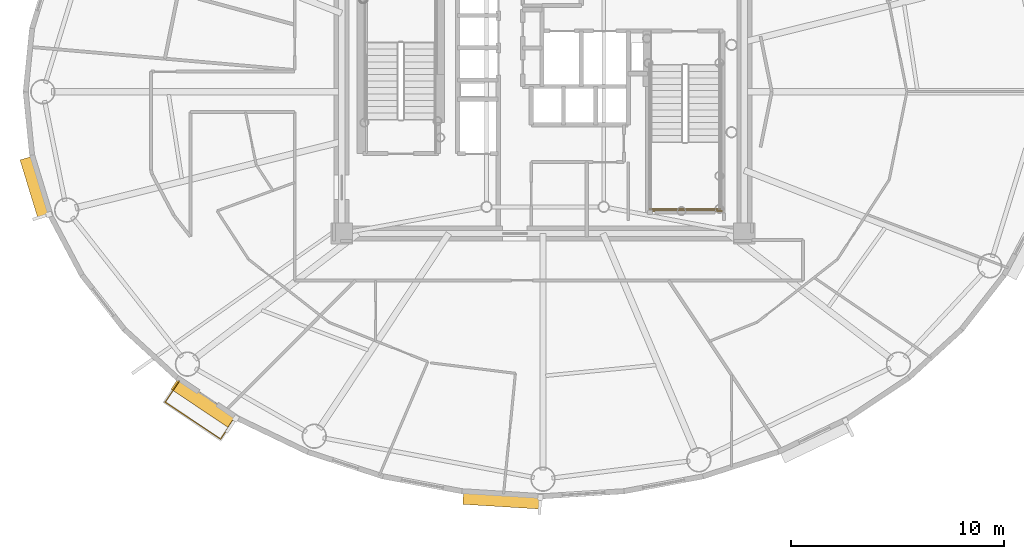
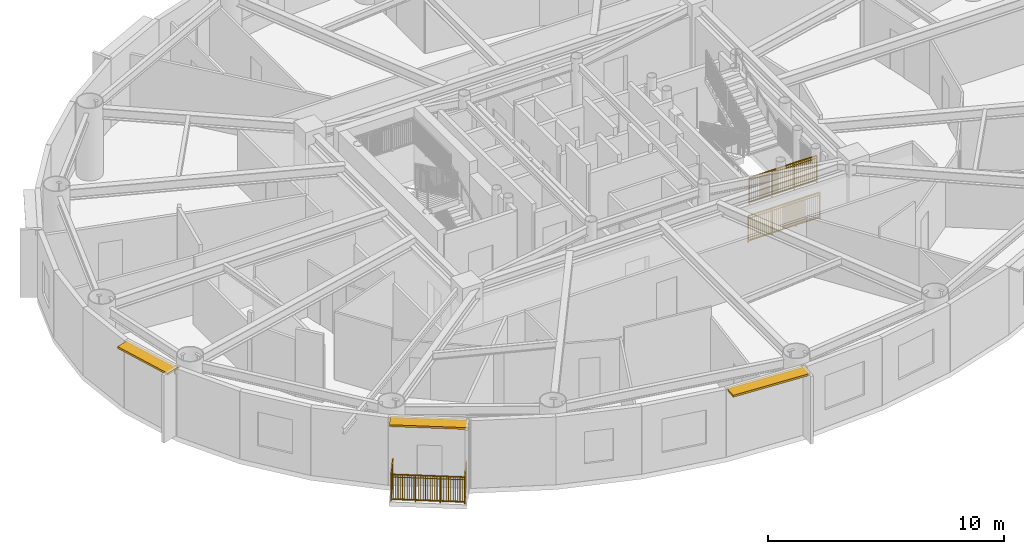
# One storey, part 12 of 18: 3 railings, 3 shading devices.
"""IFC4 building model written with IfcOpenShell, lengths in metres."""

from ifc_helpers import new_model, si_unit, direction, frame, origin, origin_2d, place, context, subcontext, project, spatial, rectangle, extrude, source, transform, mapped, material, layer, layer_set, type_object, element, save


model = new_model("IFC4")

# Units and contexts
model_context = context("Model", 3, precision=1e-05, world=origin(), true_north=direction((0.0, 1.0)))
body_context = subcontext(model_context, "Body", "Model", "MODEL_VIEW")
ifc_project = project(units=[si_unit("LENGTHUNIT", "METRE"), si_unit("AREAUNIT", "SQUARE_METRE"), si_unit("VOLUMEUNIT", "CUBIC_METRE"), si_unit("PLANEANGLEUNIT", "RADIAN"), si_unit("MASSUNIT", "GRAM", prefix="KILO")], contexts=[model_context])

# Site, building, storey
site_placement = place(None, origin())
site = spatial("IfcSite", under=ifc_project, at=site_placement, CompositionType="ELEMENT")
building_placement = place(site_placement, origin())
building = spatial("IfcBuilding", under=site, at=building_placement, Name="Linh Dai School and Residence Tower", CompositionType="ELEMENT")
storey_placement = place(building_placement, frame((0.0, 0.0, 244.050048828125)))
storey = spatial("IfcBuildingStorey", under=building, at=storey_placement, Name="L60", CompositionType="ELEMENT", Elevation=244.050048828125)

# Shading devices
ifc_material_1 = material(Name="Terracotta Ceramic Sunshade", Category="masonry")
ifc_layer = layer(ifc_material_1, 0.10009765625)
ifc_layer_set = layer_set([ifc_layer], Name="Terracotta Ceramic Sunshade")
shading_device_type = type_object("IfcShadingDeviceType", Name="SHD-TC-650", PredefinedType="USERDEFINED", material=ifc_layer_set)
shared_shape_1 = source(origin(), body_context, "Body", "SweptSolid", [
    extrude(rectangle(XDim=2.90380859375, YDim=0.64990234375, at=origin_2d()), origin(), (0.0, 0.0, 1.0), 0.10009765625),
])
shading_device_1_placement = place(storey_placement, frame((12.19384765625, 22.506591796875, 3.3798828125), z_axis=(0.0, 0.0, 1.0), x_axis=(-0.2931574026, 0.956064190994, 0.0)))
element("IfcShadingDevice", 1, at=shading_device_1_placement, inside=storey, type_object=shading_device_type, Name="L60 Terracotta Horizontal Sunshade Band 22", ObjectType="SUNSHADE", PredefinedType="USERDEFINED", context=body_context, shape_type="MappedRepresentation", body=[
    mapped(shared_shape_1, transform((0.0, 0.0, 0.0), x_axis=(1.0, 0.0, 0.0), y_axis=(0.0, 1.0, 0.0), z_axis=(0.0, 0.0, 1.0), scale=1.0)),
])
shared_shape_2 = source(origin(), body_context, "Body", "SweptSolid", [
    extrude(rectangle(XDim=3.3447265625, YDim=0.64990234375, at=origin_2d()), origin(), (0.0, 0.0, 1.0), 0.10009765625),
])
shading_device_2_placement = place(storey_placement, frame((20.11328125, 12.3837890625, 3.3798828125), z_axis=(0.0, 0.0, 1.0), x_axis=(-0.831257719597, 0.555887222025, 0.0)))
element("IfcShadingDevice", 2, at=shading_device_2_placement, inside=storey, type_object=shading_device_type, Name="L60 Terracotta Horizontal Sunshade Band 26", ObjectType="SUNSHADE", PredefinedType="USERDEFINED", context=body_context, shape_type="MappedRepresentation", body=[
    mapped(shared_shape_2, transform((0.0, 0.0, 0.0), x_axis=(1.0, 0.0, 0.0), y_axis=(0.0, 1.0, 0.0), z_axis=(0.0, 0.0, 1.0), scale=1.0)),
])
shared_shape_3 = source(origin(), body_context, "Body", "SweptSolid", [
    extrude(rectangle(XDim=3.656494140625, YDim=0.64990234375, at=origin_2d()), origin(), (0.0, 0.0, 1.0), 0.10009765625),
])
shading_device_3_placement = place(storey_placement, frame((34.08154296875, 7.852783203125, 3.3798828125), z_axis=(0.0, 0.0, 1.0), x_axis=(-0.998106809974, 0.061504437922, 0.0)))
element("IfcShadingDevice", 3, at=shading_device_3_placement, inside=storey, type_object=shading_device_type, Name="L60 Terracotta Horizontal Sunshade Band 30", ObjectType="SUNSHADE", PredefinedType="USERDEFINED", context=body_context, shape_type="MappedRepresentation", body=[
    mapped(shared_shape_3, transform((0.0, 0.0, 0.0), x_axis=(1.0, 0.0, 0.0), y_axis=(0.0, 1.0, 0.0), z_axis=(0.0, 0.0, 1.0), scale=1.0)),
])

# Railings
ifc_material_2 = material(Name="Structural Steel S355JR", Category="steel")
railing_type_1 = type_object("IfcRailingType", Name="RL-BAL-1400", PredefinedType="BALUSTRADE", material=ifc_material_2)
shared_shape_4 = source(origin(), body_context, "Body", "SweptSolid", [
    extrude(rectangle(XDim=0.048095703125, YDim=0.048095703125, at=origin_2d()), frame((0.0, 0.0, 1.3759765625), z_axis=(-0.55589317819, -0.831253736498, 0.0), x_axis=(0.831253736498, -0.55589317819, 0.0)), (0.0, 0.0, 1.0), 1.18017578125),
    extrude(rectangle(XDim=0.048095703125, YDim=0.048095703125, at=origin_2d()), frame((0.0, 0.0, 0.10009765625), z_axis=(-0.55589317819, -0.831253736498, 0.0), x_axis=(0.831253736498, -0.55589317819, 0.0)), (0.0, 0.0, 1.0), 1.18017578125),
    extrude(rectangle(XDim=0.030029296875, YDim=0.030029296875, at=origin_2d()), frame((0.0, 0.0, 1.239990234375), z_axis=(-0.55589317819, -0.831253736498, 0.0), x_axis=(0.831253736498, -0.55589317819, 0.0)), (0.0, 0.0, 1.0), 1.18017578125),
    extrude(rectangle(XDim=0.02001953125, YDim=0.02001953125, at=origin_2d()), frame((-0.050537109375, -0.075439453125, 0.10009765625)), (0.0, 0.0, 1.0), 1.251708984375),
    extrude(rectangle(XDim=0.02001953125, YDim=0.02001953125, at=origin_2d()), frame((-0.100830078125, -0.15087890625, 0.10009765625)), (0.0, 0.0, 1.0), 1.251708984375),
    extrude(rectangle(XDim=0.02001953125, YDim=0.02001953125, at=origin_2d()), frame((-0.1513671875, -0.226318359375, 0.10009765625)), (0.0, 0.0, 1.0), 1.251708984375),
    extrude(rectangle(XDim=0.02001953125, YDim=0.02001953125, at=origin_2d()), frame((-0.201904296875, -0.3017578125, 0.10009765625)), (0.0, 0.0, 1.0), 1.251708984375),
    extrude(rectangle(XDim=0.02001953125, YDim=0.02001953125, at=origin_2d()), frame((-0.252197265625, -0.377197265625, 0.10009765625)), (0.0, 0.0, 1.0), 1.251708984375),
    extrude(rectangle(XDim=0.02001953125, YDim=0.02001953125, at=origin_2d()), frame((-0.302734375, -0.45263671875, 0.10009765625)), (0.0, 0.0, 1.0), 1.251708984375),
    extrude(rectangle(XDim=0.02001953125, YDim=0.02001953125, at=origin_2d()), frame((-0.353271484375, -0.5283203125, 0.10009765625)), (0.0, 0.0, 1.0), 1.251708984375),
    extrude(rectangle(XDim=0.02001953125, YDim=0.02001953125, at=origin_2d()), frame((-0.40380859375, -0.603759765625, 0.10009765625)), (0.0, 0.0, 1.0), 1.251708984375),
    extrude(rectangle(XDim=0.02001953125, YDim=0.02001953125, at=origin_2d()), frame((-0.4541015625, -0.67919921875, 0.10009765625)), (0.0, 0.0, 1.0), 1.251708984375),
    extrude(rectangle(XDim=0.02001953125, YDim=0.02001953125, at=origin_2d()), frame((-0.504638671875, -0.754638671875, 0.10009765625)), (0.0, 0.0, 1.0), 1.251708984375),
    extrude(rectangle(XDim=0.02001953125, YDim=0.02001953125, at=origin_2d()), frame((-0.55517578125, -0.830078125, 0.10009765625)), (0.0, 0.0, 1.0), 1.251708984375),
    extrude(rectangle(XDim=0.02001953125, YDim=0.02001953125, at=origin_2d()), frame((-0.60546875, -0.905517578125, 0.10009765625)), (0.0, 0.0, 1.0), 1.251708984375),
    extrude(rectangle(XDim=0.048095703125, YDim=0.048095703125, at=origin_2d()), frame((-0.656005859375, -0.98095703125, 1.3759765625), z_axis=(-0.831267981347, 0.555871876593, 0.0), x_axis=(-0.555871876593, -0.831267981347, 0.0)), (0.0, 0.0, 1.0), 3.1240234375),
    extrude(rectangle(XDim=0.048095703125, YDim=0.048095703125, at=origin_2d()), frame((-0.656005859375, -0.98095703125, 0.10009765625), z_axis=(-0.831267981347, 0.555871876593, 0.0), x_axis=(-0.555871876593, -0.831267981347, 0.0)), (0.0, 0.0, 1.0), 3.1240234375),
    extrude(rectangle(XDim=0.030029296875, YDim=0.030029296875, at=origin_2d()), frame((-0.656005859375, -0.98095703125, 1.239990234375), z_axis=(-0.831267981347, 0.555871876593, 0.0), x_axis=(-0.555871876593, -0.831267981347, 0.0)), (0.0, 0.0, 1.0), 3.1240234375),
    extrude(rectangle(XDim=0.02001953125, YDim=0.02001953125, at=origin_2d()), frame((-0.737060546875, -0.9267578125, 0.10009765625)), (0.0, 0.0, 1.0), 1.251708984375),
    extrude(rectangle(XDim=0.02001953125, YDim=0.02001953125, at=origin_2d()), frame((-0.818359375, -0.872314453125, 0.10009765625)), (0.0, 0.0, 1.0), 1.251708984375),
    extrude(rectangle(XDim=0.02001953125, YDim=0.02001953125, at=origin_2d()), frame((-0.8994140625, -0.818115234375, 0.10009765625)), (0.0, 0.0, 1.0), 1.251708984375),
    extrude(rectangle(XDim=0.02001953125, YDim=0.02001953125, at=origin_2d()), frame((-0.980712890625, -0.763916015625, 0.10009765625)), (0.0, 0.0, 1.0), 1.251708984375),
    extrude(rectangle(XDim=0.02001953125, YDim=0.02001953125, at=origin_2d()), frame((-1.061767578125, -0.709716796875, 0.10009765625)), (0.0, 0.0, 1.0), 1.251708984375),
    extrude(rectangle(XDim=0.02001953125, YDim=0.02001953125, at=origin_2d()), frame((-1.142822265625, -0.6552734375, 0.10009765625)), (0.0, 0.0, 1.0), 1.251708984375),
    extrude(rectangle(XDim=0.02001953125, YDim=0.02001953125, at=origin_2d()), frame((-1.22412109375, -0.60107421875, 0.10009765625)), (0.0, 0.0, 1.0), 1.251708984375),
    extrude(rectangle(XDim=0.02001953125, YDim=0.02001953125, at=origin_2d()), frame((-1.30517578125, -0.546875, 0.10009765625)), (0.0, 0.0, 1.0), 1.251708984375),
    extrude(rectangle(XDim=0.02001953125, YDim=0.02001953125, at=origin_2d()), frame((-1.386474609375, -0.492431640625, 0.10009765625)), (0.0, 0.0, 1.0), 1.251708984375),
    extrude(rectangle(XDim=0.02001953125, YDim=0.02001953125, at=origin_2d()), frame((-1.467529296875, -0.438232421875, 0.10009765625)), (0.0, 0.0, 1.0), 1.251708984375),
    extrude(rectangle(XDim=0.02001953125, YDim=0.02001953125, at=origin_2d()), frame((-1.6298828125, -0.329833984375, 0.10009765625)), (0.0, 0.0, 1.0), 1.251708984375),
    extrude(rectangle(XDim=0.02001953125, YDim=0.02001953125, at=origin_2d()), frame((-1.7109375, -0.275390625, 0.10009765625)), (0.0, 0.0, 1.0), 1.251708984375),
    extrude(rectangle(XDim=0.02001953125, YDim=0.02001953125, at=origin_2d()), frame((-1.792236328125, -0.22119140625, 0.10009765625)), (0.0, 0.0, 1.0), 1.251708984375),
    extrude(rectangle(XDim=0.02001953125, YDim=0.02001953125, at=origin_2d()), frame((-1.873291015625, -0.1669921875, 0.10009765625)), (0.0, 0.0, 1.0), 1.251708984375),
    extrude(rectangle(XDim=0.02001953125, YDim=0.02001953125, at=origin_2d()), frame((-1.95458984375, -0.11279296875, 0.10009765625)), (0.0, 0.0, 1.0), 1.251708984375),
    extrude(rectangle(XDim=0.02001953125, YDim=0.02001953125, at=origin_2d()), frame((-2.03564453125, -0.058349609375, 0.10009765625)), (0.0, 0.0, 1.0), 1.251708984375),
    extrude(rectangle(XDim=0.02001953125, YDim=0.02001953125, at=origin_2d()), frame((-2.11669921875, -0.004150390625, 0.10009765625)), (0.0, 0.0, 1.0), 1.251708984375),
    extrude(rectangle(XDim=0.02001953125, YDim=0.02001953125, at=origin_2d()), frame((-2.197998046875, 0.050048828125, 0.10009765625)), (0.0, 0.0, 1.0), 1.251708984375),
    extrude(rectangle(XDim=0.02001953125, YDim=0.02001953125, at=origin_2d()), frame((-2.279052734375, 0.1044921875, 0.10009765625)), (0.0, 0.0, 1.0), 1.251708984375),
    extrude(rectangle(XDim=0.02001953125, YDim=0.02001953125, at=origin_2d()), frame((-2.44140625, 0.212890625, 0.10009765625)), (0.0, 0.0, 1.0), 1.251708984375),
    extrude(rectangle(XDim=0.02001953125, YDim=0.02001953125, at=origin_2d()), frame((-2.5224609375, 0.26708984375, 0.10009765625)), (0.0, 0.0, 1.0), 1.251708984375),
    extrude(rectangle(XDim=0.02001953125, YDim=0.02001953125, at=origin_2d()), frame((-2.603759765625, 0.321533203125, 0.10009765625)), (0.0, 0.0, 1.0), 1.251708984375),
    extrude(rectangle(XDim=0.02001953125, YDim=0.02001953125, at=origin_2d()), frame((-2.684814453125, 0.375732421875, 0.10009765625)), (0.0, 0.0, 1.0), 1.251708984375),
    extrude(rectangle(XDim=0.02001953125, YDim=0.02001953125, at=origin_2d()), frame((-2.76611328125, 0.429931640625, 0.10009765625)), (0.0, 0.0, 1.0), 1.251708984375),
    extrude(rectangle(XDim=0.02001953125, YDim=0.02001953125, at=origin_2d()), frame((-2.84716796875, 0.484375, 0.10009765625)), (0.0, 0.0, 1.0), 1.251708984375),
    extrude(rectangle(XDim=0.02001953125, YDim=0.02001953125, at=origin_2d()), frame((-2.92822265625, 0.53857421875, 0.10009765625)), (0.0, 0.0, 1.0), 1.251708984375),
    extrude(rectangle(XDim=0.02001953125, YDim=0.02001953125, at=origin_2d()), frame((-3.009521484375, 0.5927734375, 0.10009765625)), (0.0, 0.0, 1.0), 1.251708984375),
    extrude(rectangle(XDim=0.02001953125, YDim=0.02001953125, at=origin_2d()), frame((-3.090576171875, 0.64697265625, 0.10009765625)), (0.0, 0.0, 1.0), 1.251708984375),
    extrude(rectangle(XDim=0.02001953125, YDim=0.02001953125, at=origin_2d()), frame((-3.171875, 0.701416015625, 0.10009765625)), (0.0, 0.0, 1.0), 1.251708984375),
    extrude(rectangle(XDim=0.048095703125, YDim=0.048095703125, at=origin_2d()), frame((-3.2529296875, 0.755615234375, 1.3759765625), z_axis=(0.55589317819, 0.831253736498, 0.0), x_axis=(-0.831253736498, 0.55589317819, 0.0)), (0.0, 0.0, 1.0), 1.18017578125),
    extrude(rectangle(XDim=0.048095703125, YDim=0.048095703125, at=origin_2d()), frame((-3.2529296875, 0.755615234375, 0.10009765625), z_axis=(0.55589317819, 0.831253736498, 0.0), x_axis=(-0.831253736498, 0.55589317819, 0.0)), (0.0, 0.0, 1.0), 1.18017578125),
    extrude(rectangle(XDim=0.030029296875, YDim=0.030029296875, at=origin_2d()), frame((-3.2529296875, 0.755615234375, 1.239990234375), z_axis=(0.55589317819, 0.831253736498, 0.0), x_axis=(-0.831253736498, 0.55589317819, 0.0)), (0.0, 0.0, 1.0), 1.18017578125),
    extrude(rectangle(XDim=0.02001953125, YDim=0.02001953125, at=origin_2d()), frame((-3.202392578125, 0.8310546875, 0.10009765625)), (0.0, 0.0, 1.0), 1.251708984375),
    extrude(rectangle(XDim=0.02001953125, YDim=0.02001953125, at=origin_2d()), frame((-3.152099609375, 0.906494140625, 0.10009765625)), (0.0, 0.0, 1.0), 1.251708984375),
    extrude(rectangle(XDim=0.02001953125, YDim=0.02001953125, at=origin_2d()), frame((-3.1015625, 0.98193359375, 0.10009765625)), (0.0, 0.0, 1.0), 1.251708984375),
    extrude(rectangle(XDim=0.02001953125, YDim=0.02001953125, at=origin_2d()), frame((-3.051025390625, 1.057373046875, 0.10009765625)), (0.0, 0.0, 1.0), 1.251708984375),
    extrude(rectangle(XDim=0.02001953125, YDim=0.02001953125, at=origin_2d()), frame((-3.000732421875, 1.1328125, 0.10009765625)), (0.0, 0.0, 1.0), 1.251708984375),
    extrude(rectangle(XDim=0.02001953125, YDim=0.02001953125, at=origin_2d()), frame((-2.9501953125, 1.208251953125, 0.10009765625)), (0.0, 0.0, 1.0), 1.251708984375),
    extrude(rectangle(XDim=0.02001953125, YDim=0.02001953125, at=origin_2d()), frame((-2.899658203125, 1.283935546875, 0.10009765625)), (0.0, 0.0, 1.0), 1.251708984375),
    extrude(rectangle(XDim=0.02001953125, YDim=0.02001953125, at=origin_2d()), frame((-2.84912109375, 1.359375, 0.10009765625)), (0.0, 0.0, 1.0), 1.251708984375),
    extrude(rectangle(XDim=0.02001953125, YDim=0.02001953125, at=origin_2d()), frame((-2.798828125, 1.434814453125, 0.10009765625)), (0.0, 0.0, 1.0), 1.251708984375),
    extrude(rectangle(XDim=0.02001953125, YDim=0.02001953125, at=origin_2d()), frame((-2.748291015625, 1.51025390625, 0.10009765625)), (0.0, 0.0, 1.0), 1.251708984375),
    extrude(rectangle(XDim=0.02001953125, YDim=0.02001953125, at=origin_2d()), frame((-2.69775390625, 1.585693359375, 0.10009765625)), (0.0, 0.0, 1.0), 1.251708984375),
    extrude(rectangle(XDim=0.02001953125, YDim=0.02001953125, at=origin_2d()), frame((-2.6474609375, 1.6611328125, 0.10009765625)), (0.0, 0.0, 1.0), 1.251708984375),
    extrude(rectangle(XDim=0.0419921875, YDim=0.0419921875, at=origin_2d()), origin(), (0.0, 0.0, 1.0), 1.3759765625),
    extrude(rectangle(XDim=0.0419921875, YDim=0.0419921875, at=origin_2d()), frame((-0.656005859375, -0.98095703125, 0.0)), (0.0, 0.0, 1.0), 1.3759765625),
    extrude(rectangle(XDim=0.0419921875, YDim=0.0419921875, at=origin_2d()), frame((-1.521728515625, -0.402099609375, 0.0)), (0.0, 0.0, 1.0), 1.3759765625),
    extrude(rectangle(XDim=0.0419921875, YDim=0.0419921875, at=origin_2d()), frame((-2.38720703125, 0.1767578125, 0.0)), (0.0, 0.0, 1.0), 1.3759765625),
    extrude(rectangle(XDim=0.0419921875, YDim=0.0419921875, at=origin_2d()), frame((-3.2529296875, 0.755615234375, 0.0)), (0.0, 0.0, 1.0), 1.3759765625),
    extrude(rectangle(XDim=0.0419921875, YDim=0.0419921875, at=origin_2d()), frame((-2.596923828125, 1.736572265625, 0.0)), (0.0, 0.0, 1.0), 1.3759765625),
])
railing_1_placement = place(storey_placement, frame((21.52294921875, 11.681884765625, 0.0)))
element("IfcRailing", 4, at=railing_1_placement, inside=storey, type_object=railing_type_1, Name="L60 Balcony Safety Balustrade 26", PredefinedType="BALUSTRADE", context=body_context, shape_type="MappedRepresentation", body=[
    mapped(shared_shape_4, transform((0.0, 0.0, 0.0), x_axis=(1.0, 0.0, 0.0), y_axis=(0.0, 1.0, 0.0), z_axis=(0.0, 0.0, 1.0), scale=1.0)),
])
railing_type_2 = type_object("IfcRailingType", Name="RL-ST-GUARD-1400", PredefinedType="GUARDRAIL", material=ifc_material_2)
shared_shape_5 = source(origin(), body_context, "Body", "SweptSolid", [
    extrude(rectangle(XDim=0.048095703125, YDim=0.048095703125, at=origin_2d()), frame((0.0, 0.0, 1.3759765625), z_axis=(1.0, 0.0, 0.0), x_axis=(0.0, 1.0, 0.0)), (0.0, 0.0, 1.0), 3.300048828125),
    extrude(rectangle(XDim=0.048095703125, YDim=0.048095703125, at=origin_2d()), frame((0.0, 0.0, 0.10009765625), z_axis=(1.0, 0.0, 0.0), x_axis=(0.0, 1.0, 0.0)), (0.0, 0.0, 1.0), 3.300048828125),
    extrude(rectangle(XDim=0.030029296875, YDim=0.030029296875, at=origin_2d()), frame((0.0, 0.0, 1.239990234375), z_axis=(1.0, 0.0, 0.0), x_axis=(0.0, 1.0, 0.0)), (0.0, 0.0, 1.0), 3.300048828125),
    extrude(rectangle(XDim=0.02001953125, YDim=0.02001953125, at=origin_2d()), frame((0.09716796875, 0.0, 0.10009765625)), (0.0, 0.0, 1.0), 1.251708984375),
    extrude(rectangle(XDim=0.02001953125, YDim=0.02001953125, at=origin_2d()), frame((0.194091796875, 0.0, 0.10009765625)), (0.0, 0.0, 1.0), 1.251708984375),
    extrude(rectangle(XDim=0.02001953125, YDim=0.02001953125, at=origin_2d()), frame((0.291259765625, 0.0, 0.10009765625)), (0.0, 0.0, 1.0), 1.251708984375),
    extrude(rectangle(XDim=0.02001953125, YDim=0.02001953125, at=origin_2d()), frame((0.38818359375, 0.0, 0.10009765625)), (0.0, 0.0, 1.0), 1.251708984375),
    extrude(rectangle(XDim=0.02001953125, YDim=0.02001953125, at=origin_2d()), frame((0.4853515625, 0.0, 0.10009765625)), (0.0, 0.0, 1.0), 1.251708984375),
    extrude(rectangle(XDim=0.02001953125, YDim=0.02001953125, at=origin_2d()), frame((0.582275390625, 0.0, 0.10009765625)), (0.0, 0.0, 1.0), 1.251708984375),
    extrude(rectangle(XDim=0.02001953125, YDim=0.02001953125, at=origin_2d()), frame((0.679443359375, 0.0, 0.10009765625)), (0.0, 0.0, 1.0), 1.251708984375),
    extrude(rectangle(XDim=0.02001953125, YDim=0.02001953125, at=origin_2d()), frame((0.7763671875, 0.0, 0.10009765625)), (0.0, 0.0, 1.0), 1.251708984375),
    extrude(rectangle(XDim=0.02001953125, YDim=0.02001953125, at=origin_2d()), frame((0.87353515625, 0.0, 0.10009765625)), (0.0, 0.0, 1.0), 1.251708984375),
    extrude(rectangle(XDim=0.02001953125, YDim=0.02001953125, at=origin_2d()), frame((0.970703125, 0.0, 0.10009765625)), (0.0, 0.0, 1.0), 1.251708984375),
    extrude(rectangle(XDim=0.02001953125, YDim=0.02001953125, at=origin_2d()), frame((1.164794921875, 0.0, 0.10009765625)), (0.0, 0.0, 1.0), 1.251708984375),
    extrude(rectangle(XDim=0.02001953125, YDim=0.02001953125, at=origin_2d()), frame((1.26171875, 0.0, 0.10009765625)), (0.0, 0.0, 1.0), 1.251708984375),
    extrude(rectangle(XDim=0.02001953125, YDim=0.02001953125, at=origin_2d()), frame((1.35888671875, 0.0, 0.10009765625)), (0.0, 0.0, 1.0), 1.251708984375),
    extrude(rectangle(XDim=0.02001953125, YDim=0.02001953125, at=origin_2d()), frame((1.455810546875, 0.0, 0.10009765625)), (0.0, 0.0, 1.0), 1.251708984375),
    extrude(rectangle(XDim=0.02001953125, YDim=0.02001953125, at=origin_2d()), frame((1.552978515625, 0.0, 0.10009765625)), (0.0, 0.0, 1.0), 1.251708984375),
    extrude(rectangle(XDim=0.02001953125, YDim=0.02001953125, at=origin_2d()), frame((1.64990234375, 0.0, 0.10009765625)), (0.0, 0.0, 1.0), 1.251708984375),
    extrude(rectangle(XDim=0.02001953125, YDim=0.02001953125, at=origin_2d()), frame((1.7470703125, 0.0, 0.10009765625)), (0.0, 0.0, 1.0), 1.251708984375),
    extrude(rectangle(XDim=0.02001953125, YDim=0.02001953125, at=origin_2d()), frame((1.84423828125, 0.0, 0.10009765625)), (0.0, 0.0, 1.0), 1.251708984375),
    extrude(rectangle(XDim=0.02001953125, YDim=0.02001953125, at=origin_2d()), frame((1.941162109375, 0.0, 0.10009765625)), (0.0, 0.0, 1.0), 1.251708984375),
    extrude(rectangle(XDim=0.02001953125, YDim=0.02001953125, at=origin_2d()), frame((2.038330078125, 0.0, 0.10009765625)), (0.0, 0.0, 1.0), 1.251708984375),
    extrude(rectangle(XDim=0.02001953125, YDim=0.02001953125, at=origin_2d()), frame((2.13525390625, 0.0, 0.10009765625)), (0.0, 0.0, 1.0), 1.251708984375),
    extrude(rectangle(XDim=0.02001953125, YDim=0.02001953125, at=origin_2d()), frame((2.329345703125, 0.0, 0.10009765625)), (0.0, 0.0, 1.0), 1.251708984375),
    extrude(rectangle(XDim=0.02001953125, YDim=0.02001953125, at=origin_2d()), frame((2.426513671875, 0.0, 0.10009765625)), (0.0, 0.0, 1.0), 1.251708984375),
    extrude(rectangle(XDim=0.02001953125, YDim=0.02001953125, at=origin_2d()), frame((2.523681640625, 0.0, 0.10009765625)), (0.0, 0.0, 1.0), 1.251708984375),
    extrude(rectangle(XDim=0.02001953125, YDim=0.02001953125, at=origin_2d()), frame((2.62060546875, 0.0, 0.10009765625)), (0.0, 0.0, 1.0), 1.251708984375),
    extrude(rectangle(XDim=0.02001953125, YDim=0.02001953125, at=origin_2d()), frame((2.7177734375, 0.0, 0.10009765625)), (0.0, 0.0, 1.0), 1.251708984375),
    extrude(rectangle(XDim=0.02001953125, YDim=0.02001953125, at=origin_2d()), frame((2.814697265625, 0.0, 0.10009765625)), (0.0, 0.0, 1.0), 1.251708984375),
    extrude(rectangle(XDim=0.02001953125, YDim=0.02001953125, at=origin_2d()), frame((2.911865234375, 0.0, 0.10009765625)), (0.0, 0.0, 1.0), 1.251708984375),
    extrude(rectangle(XDim=0.02001953125, YDim=0.02001953125, at=origin_2d()), frame((3.0087890625, 0.0, 0.10009765625)), (0.0, 0.0, 1.0), 1.251708984375),
    extrude(rectangle(XDim=0.02001953125, YDim=0.02001953125, at=origin_2d()), frame((3.10595703125, 0.0, 0.10009765625)), (0.0, 0.0, 1.0), 1.251708984375),
    extrude(rectangle(XDim=0.02001953125, YDim=0.02001953125, at=origin_2d()), frame((3.202880859375, 0.0, 0.10009765625)), (0.0, 0.0, 1.0), 1.251708984375),
    extrude(rectangle(XDim=0.0419921875, YDim=0.0419921875, at=origin_2d()), origin(), (0.0, 0.0, 1.0), 1.3759765625),
    extrude(rectangle(XDim=0.0419921875, YDim=0.0419921875, at=origin_2d()), frame((1.10009765625, 0.0, 0.0)), (0.0, 0.0, 1.0), 1.3759765625),
    extrude(rectangle(XDim=0.0419921875, YDim=0.0419921875, at=origin_2d()), frame((2.199951171875, 0.0, 0.0)), (0.0, 0.0, 1.0), 1.3759765625),
    extrude(rectangle(XDim=0.0419921875, YDim=0.0419921875, at=origin_2d()), frame((3.300048828125, 0.0, 0.0)), (0.0, 0.0, 1.0), 1.3759765625),
])
railing_2_placement = place(storey_placement, frame((41.02001953125, 21.5, 1.875)))
element("IfcRailing", 5, at=railing_2_placement, inside=storey, type_object=railing_type_2, Name="L60 ST2 stair guard 5", PredefinedType="GUARDRAIL", context=body_context, shape_type="MappedRepresentation", body=[
    mapped(shared_shape_5, transform((0.0, 0.0, 0.0), x_axis=(1.0, 0.0, 0.0), y_axis=(0.0, 1.0, 0.0), z_axis=(0.0, 0.0, 1.0), scale=1.0)),
])
shared_shape_6 = source(origin(), body_context, "Body", "SweptSolid", [
    extrude(rectangle(XDim=0.048095703125, YDim=0.048095703125, at=origin_2d()), frame((0.0, 0.0, 1.3759765625), z_axis=(1.0, 0.0, 0.0), x_axis=(0.0, 1.0, 0.0)), (0.0, 0.0, 1.0), 3.5),
    extrude(rectangle(XDim=0.048095703125, YDim=0.048095703125, at=origin_2d()), frame((0.0, 0.0, 0.10009765625), z_axis=(1.0, 0.0, 0.0), x_axis=(0.0, 1.0, 0.0)), (0.0, 0.0, 1.0), 3.5),
    extrude(rectangle(XDim=0.030029296875, YDim=0.030029296875, at=origin_2d()), frame((0.0, 0.0, 1.239990234375), z_axis=(1.0, 0.0, 0.0), x_axis=(0.0, 1.0, 0.0)), (0.0, 0.0, 1.0), 3.5),
    extrude(rectangle(XDim=0.02001953125, YDim=0.02001953125, at=origin_2d()), frame((0.09716796875, 0.0, 0.10009765625)), (0.0, 0.0, 1.0), 1.251708984375),
    extrude(rectangle(XDim=0.02001953125, YDim=0.02001953125, at=origin_2d()), frame((0.1943359375, 0.0, 0.10009765625)), (0.0, 0.0, 1.0), 1.251708984375),
    extrude(rectangle(XDim=0.02001953125, YDim=0.02001953125, at=origin_2d()), frame((0.291748046875, 0.0, 0.10009765625)), (0.0, 0.0, 1.0), 1.251708984375),
    extrude(rectangle(XDim=0.02001953125, YDim=0.02001953125, at=origin_2d()), frame((0.388916015625, 0.0, 0.10009765625)), (0.0, 0.0, 1.0), 1.251708984375),
    extrude(rectangle(XDim=0.02001953125, YDim=0.02001953125, at=origin_2d()), frame((0.486083984375, 0.0, 0.10009765625)), (0.0, 0.0, 1.0), 1.251708984375),
    extrude(rectangle(XDim=0.02001953125, YDim=0.02001953125, at=origin_2d()), frame((0.583251953125, 0.0, 0.10009765625)), (0.0, 0.0, 1.0), 1.251708984375),
    extrude(rectangle(XDim=0.02001953125, YDim=0.02001953125, at=origin_2d()), frame((0.6806640625, 0.0, 0.10009765625)), (0.0, 0.0, 1.0), 1.251708984375),
    extrude(rectangle(XDim=0.02001953125, YDim=0.02001953125, at=origin_2d()), frame((0.77783203125, 0.0, 0.10009765625)), (0.0, 0.0, 1.0), 1.251708984375),
    extrude(rectangle(XDim=0.02001953125, YDim=0.02001953125, at=origin_2d()), frame((0.875, 0.0, 0.10009765625)), (0.0, 0.0, 1.0), 1.251708984375),
    extrude(rectangle(XDim=0.02001953125, YDim=0.02001953125, at=origin_2d()), frame((0.97216796875, 0.0, 0.10009765625)), (0.0, 0.0, 1.0), 1.251708984375),
    extrude(rectangle(XDim=0.02001953125, YDim=0.02001953125, at=origin_2d()), frame((1.0693359375, 0.0, 0.10009765625)), (0.0, 0.0, 1.0), 1.251708984375),
    extrude(rectangle(XDim=0.02001953125, YDim=0.02001953125, at=origin_2d()), frame((1.263916015625, 0.0, 0.10009765625)), (0.0, 0.0, 1.0), 1.251708984375),
    extrude(rectangle(XDim=0.02001953125, YDim=0.02001953125, at=origin_2d()), frame((1.361083984375, 0.0, 0.10009765625)), (0.0, 0.0, 1.0), 1.251708984375),
    extrude(rectangle(XDim=0.02001953125, YDim=0.02001953125, at=origin_2d()), frame((1.458251953125, 0.0, 0.10009765625)), (0.0, 0.0, 1.0), 1.251708984375),
    extrude(rectangle(XDim=0.02001953125, YDim=0.02001953125, at=origin_2d()), frame((1.5556640625, 0.0, 0.10009765625)), (0.0, 0.0, 1.0), 1.251708984375),
    extrude(rectangle(XDim=0.02001953125, YDim=0.02001953125, at=origin_2d()), frame((1.65283203125, 0.0, 0.10009765625)), (0.0, 0.0, 1.0), 1.251708984375),
    extrude(rectangle(XDim=0.02001953125, YDim=0.02001953125, at=origin_2d()), frame((1.75, 0.0, 0.10009765625)), (0.0, 0.0, 1.0), 1.251708984375),
    extrude(rectangle(XDim=0.02001953125, YDim=0.02001953125, at=origin_2d()), frame((1.84716796875, 0.0, 0.10009765625)), (0.0, 0.0, 1.0), 1.251708984375),
    extrude(rectangle(XDim=0.02001953125, YDim=0.02001953125, at=origin_2d()), frame((1.9443359375, 0.0, 0.10009765625)), (0.0, 0.0, 1.0), 1.251708984375),
    extrude(rectangle(XDim=0.02001953125, YDim=0.02001953125, at=origin_2d()), frame((2.041748046875, 0.0, 0.10009765625)), (0.0, 0.0, 1.0), 1.251708984375),
    extrude(rectangle(XDim=0.02001953125, YDim=0.02001953125, at=origin_2d()), frame((2.138916015625, 0.0, 0.10009765625)), (0.0, 0.0, 1.0), 1.251708984375),
    extrude(rectangle(XDim=0.02001953125, YDim=0.02001953125, at=origin_2d()), frame((2.236083984375, 0.0, 0.10009765625)), (0.0, 0.0, 1.0), 1.251708984375),
    extrude(rectangle(XDim=0.02001953125, YDim=0.02001953125, at=origin_2d()), frame((2.4306640625, 0.0, 0.10009765625)), (0.0, 0.0, 1.0), 1.251708984375),
    extrude(rectangle(XDim=0.02001953125, YDim=0.02001953125, at=origin_2d()), frame((2.52783203125, 0.0, 0.10009765625)), (0.0, 0.0, 1.0), 1.251708984375),
    extrude(rectangle(XDim=0.02001953125, YDim=0.02001953125, at=origin_2d()), frame((2.625, 0.0, 0.10009765625)), (0.0, 0.0, 1.0), 1.251708984375),
    extrude(rectangle(XDim=0.02001953125, YDim=0.02001953125, at=origin_2d()), frame((2.72216796875, 0.0, 0.10009765625)), (0.0, 0.0, 1.0), 1.251708984375),
    extrude(rectangle(XDim=0.02001953125, YDim=0.02001953125, at=origin_2d()), frame((2.8193359375, 0.0, 0.10009765625)), (0.0, 0.0, 1.0), 1.251708984375),
    extrude(rectangle(XDim=0.02001953125, YDim=0.02001953125, at=origin_2d()), frame((2.916748046875, 0.0, 0.10009765625)), (0.0, 0.0, 1.0), 1.251708984375),
    extrude(rectangle(XDim=0.02001953125, YDim=0.02001953125, at=origin_2d()), frame((3.013916015625, 0.0, 0.10009765625)), (0.0, 0.0, 1.0), 1.251708984375),
    extrude(rectangle(XDim=0.02001953125, YDim=0.02001953125, at=origin_2d()), frame((3.111083984375, 0.0, 0.10009765625)), (0.0, 0.0, 1.0), 1.251708984375),
    extrude(rectangle(XDim=0.02001953125, YDim=0.02001953125, at=origin_2d()), frame((3.208251953125, 0.0, 0.10009765625)), (0.0, 0.0, 1.0), 1.251708984375),
    extrude(rectangle(XDim=0.02001953125, YDim=0.02001953125, at=origin_2d()), frame((3.3056640625, 0.0, 0.10009765625)), (0.0, 0.0, 1.0), 1.251708984375),
    extrude(rectangle(XDim=0.02001953125, YDim=0.02001953125, at=origin_2d()), frame((3.40283203125, 0.0, 0.10009765625)), (0.0, 0.0, 1.0), 1.251708984375),
    extrude(rectangle(XDim=0.0419921875, YDim=0.0419921875, at=origin_2d()), origin(), (0.0, 0.0, 1.0), 1.3759765625),
    extrude(rectangle(XDim=0.0419921875, YDim=0.0419921875, at=origin_2d()), frame((1.166748046875, 0.0, 0.0)), (0.0, 0.0, 1.0), 1.3759765625),
    extrude(rectangle(XDim=0.0419921875, YDim=0.0419921875, at=origin_2d()), frame((2.333251953125, 0.0, 0.0)), (0.0, 0.0, 1.0), 1.3759765625),
    extrude(rectangle(XDim=0.0419921875, YDim=0.0419921875, at=origin_2d()), frame((3.5, 0.0, 0.0)), (0.0, 0.0, 1.0), 1.3759765625),
])
railing_3_placement = place(storey_placement, frame((40.919921875, 21.39990234375, 0.0)))
element("IfcRailing", 6, at=railing_3_placement, inside=storey, type_object=railing_type_2, Name="L60 ST2 stair guard 12", PredefinedType="GUARDRAIL", context=body_context, shape_type="MappedRepresentation", body=[
    mapped(shared_shape_6, transform((0.0, 0.0, 0.0), x_axis=(1.0, 0.0, 0.0), y_axis=(0.0, 1.0, 0.0), z_axis=(0.0, 0.0, 1.0), scale=1.0)),
])

save(model, "model.ifc")
